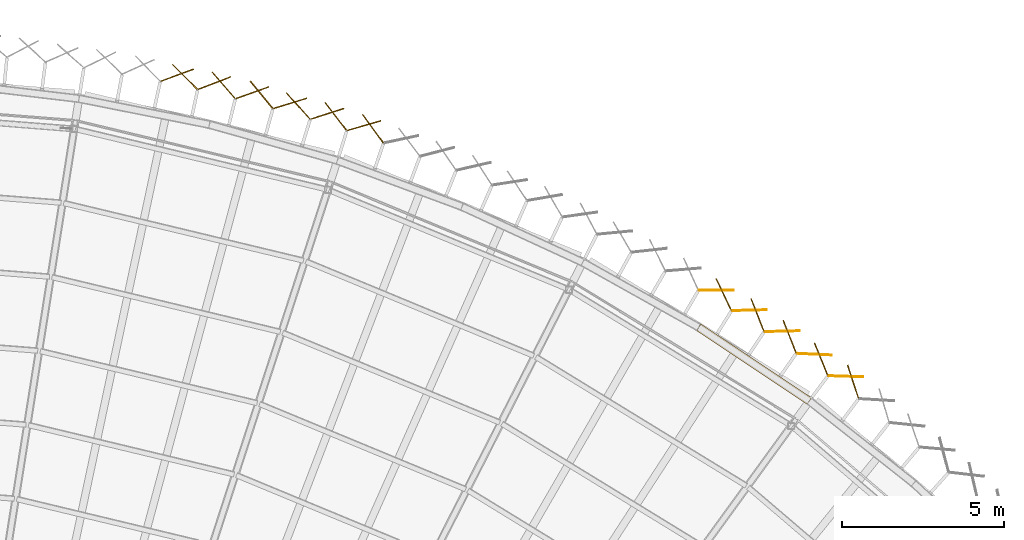
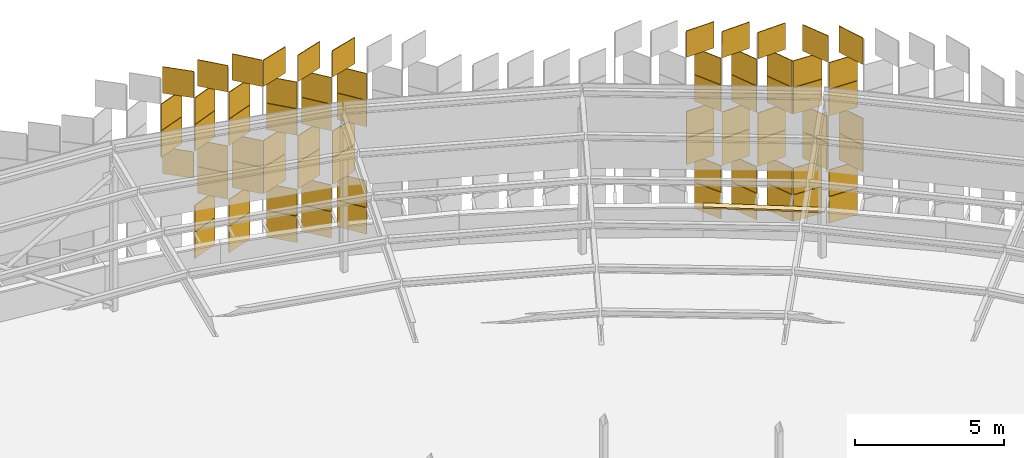
# One storey, part 482 of 483: 75 coverings.
"""IFC4 building model written with IfcOpenShell, lengths in metres."""

from ifc_helpers import new_model, si_unit, direction, frame, origin, origin_2d, place, context, subcontext, project, spatial, polyline, rectangle, outline, extrude, material, layer, layer_set, type_object, element, save


model = new_model("IFC4")

# Units and contexts
model_context = context("Model", 3, precision=1e-05, world=origin(), true_north=direction((0.0, 1.0)))
body_context = subcontext(model_context, "Body", "Model", "MODEL_VIEW")
ifc_project = project(units=[si_unit("LENGTHUNIT", "METRE"), si_unit("AREAUNIT", "SQUARE_METRE"), si_unit("VOLUMEUNIT", "CUBIC_METRE"), si_unit("PLANEANGLEUNIT", "RADIAN"), si_unit("MASSUNIT", "GRAM", prefix="KILO")], contexts=[model_context])

# Site, building, storey
site_placement = place(None, origin())
site = spatial("IfcSite", under=ifc_project, at=site_placement, CompositionType="ELEMENT")
building_placement = place(site_placement, origin())
building = spatial("IfcBuilding", under=site, at=building_placement, Name="Parallax Yard Mobility Hub", CompositionType="ELEMENT")
storey_placement = place(building_placement, frame((0.0, 0.0, 13.199951171875)))
storey = spatial("IfcBuildingStorey", under=building, at=storey_placement, Name="L04", CompositionType="ELEMENT", Elevation=13.199951171875)

# Coverings
ifc_material_1 = material(Name="Concrete fc' 35 MPa", Category="concrete")
ifc_layer_1 = layer(ifc_material_1, 0.06005859375)
ifc_layer_set_1 = layer_set([ifc_layer_1], Name="Parapet coping, Concrete fc' 35 MPa precast, 240")
covering_type_1 = type_object("IfcCoveringType", Name="Parapet coping, Concrete fc' 35 MPa precast, 240", PredefinedType="USERDEFINED", material=ifc_layer_set_1)
covering_placement = place(storey_placement, frame((0.0, 0.0, 1.199951171875)))
element("IfcCovering", 1, at=covering_placement, inside=storey, type_object=covering_type_1, Name="Parapet coping run 4 part 29", ObjectType="COPING", PredefinedType="USERDEFINED", context=body_context, shape_type="SweptSolid", body=[
    extrude(outline(polyline([(203.202392578125, 132.2578125), (203.343505859375, 132.452392578125), (199.915283203125, 134.738037109375), (199.7900390625, 134.533203125), (203.202392578125, 132.2578125)])), origin(), (0.0, 0.0, 1.0), 0.06005859375),
])
ifc_material_2 = material(Name="Aluminium panel, silver anodised", Category="aluminium")
ifc_layer_2 = layer(ifc_material_2, 0.030029296875)
ifc_layer_set_2 = layer_set([ifc_layer_2], Name="Skin panel 32.5 degree turn, silver anodised")
covering_type_2 = type_object("IfcCoveringType", Name="Skin panel 32.5 degree turn, silver anodised", PredefinedType="CLADDING", material=ifc_layer_set_2)
for number, where, z_axis, x_axis, name in (
    (2, (203.42431640625, 133.80078125, 0.02001953125), (0.0, 0.0, 1.0), (0.998904787927, -0.046789151046, 0.0), "Skin panel 32.5 bay 47.1 row 1 level L04"),
    (3, (203.42431640625, 133.80078125, 1.1201171875), (0.0, 0.0, 1.0), (0.998904787927, -0.046789151046, 0.0), "Skin panel 32.5 bay 47.1 row 2 level L04"),
    (4, (203.6376953125, 133.650146484375, 2.219970703125), (0.0, 0.0, 1.0), (-0.379750033177, 0.92508913749, 0.0), "Skin panel 32.5 bay 47.1 row 3 level L04"),
    (5, (203.6376953125, 133.650146484375, 3.320068359375), (0.0, 0.0, 1.0), (-0.379750033177, 0.92508913749, 0.0), "Skin panel 32.5 bay 47.1 row 4 level L04"),
    (6, (203.42431640625, 133.80078125, 4.419921875), (0.0, 0.0, 1.0), (0.998904787927, -0.046789151046, 0.0), "Skin panel 32.5 bay 47.1 row 5 level L04"),
    (7, (203.42431640625, 133.80078125, 5.52001953125), (0.0, 0.0, 1.0), (0.998904787927, -0.046789151046, 0.0), "Skin panel 32.5 bay 47.1 row 6 level L04"),
    (8, (203.6376953125, 133.650146484375, 6.6201171875), (0.0, 0.0, 1.0), (-0.379750033177, 0.92508913749, 0.0), "Skin panel 32.5 bay 47.1 row 7 level L04"),
    (9, (200.625, 135.6494140625, 0.02001953125), (0.0, 0.0, 1.0), (-0.431942509836, 0.901901141033, 0.0), "Skin panel 32.5 bay 47.4 row 1 level L04"),
    (10, (200.625, 135.6494140625, 1.1201171875), (0.0, 0.0, 1.0), (-0.431942509836, 0.901901141033, 0.0), "Skin panel 32.5 bay 47.4 row 2 level L04"),
    (11, (200.39990234375, 135.781982421875, 2.219970703125), (0.0, 0.0, 1.0), (0.999946819934, 0.010312967731, 0.0), "Skin panel 32.5 bay 47.4 row 3 level L04"),
    (12, (200.39990234375, 135.781982421875, 3.320068359375), (0.0, 0.0, 1.0), (0.999946819934, 0.010312967731, 0.0), "Skin panel 32.5 bay 47.4 row 4 level L04"),
    (13, (200.625, 135.6494140625, 4.419921875), (0.0, 0.0, 1.0), (-0.431942509836, 0.901901141033, 0.0), "Skin panel 32.5 bay 47.4 row 5 level L04"),
    (14, (200.625, 135.6494140625, 5.52001953125), (0.0, 0.0, 1.0), (-0.431942509836, 0.901901141033, 0.0), "Skin panel 32.5 bay 47.4 row 6 level L04"),
    (15, (200.39990234375, 135.781982421875, 6.6201171875), (0.0, 0.0, 1.0), (0.999946819934, 0.010312967731, 0.0), "Skin panel 32.5 bay 47.4 row 7 level L04"),
    (16, (187.467041015625, 141.47998046875, 0.02001953125), (0.0, 0.0, 1.0), (-0.668540245689, 0.743675964311, 0.0), "Skin panel 32.5 bay 49.2 row 1 level L04"),
    (17, (187.467041015625, 141.47998046875, 1.1201171875), (0.0, 0.0, 1.0), (-0.668540245689, 0.743675964311, 0.0), "Skin panel 32.5 bay 49.2 row 2 level L04"),
    (18, (187.218017578125, 141.55908203125, 2.219970703125), (0.0, 0.0, 1.0), (0.956536634024, 0.29161218728, 0.0), "Skin panel 32.5 bay 49.2 row 3 level L04"),
    (19, (187.218017578125, 141.55908203125, 3.320068359375), (0.0, 0.0, 1.0), (0.956536634024, 0.29161218728, 0.0), "Skin panel 32.5 bay 49.2 row 4 level L04"),
    (20, (187.467041015625, 141.47998046875, 4.419921875), (0.0, 0.0, 1.0), (-0.668540245689, 0.743675964311, 0.0), "Skin panel 32.5 bay 49.2 row 5 level L04"),
    (21, (187.467041015625, 141.47998046875, 5.52001953125), (0.0, 0.0, 1.0), (-0.668540245689, 0.743675964311, 0.0), "Skin panel 32.5 bay 49.2 row 6 level L04"),
    (22, (187.218017578125, 141.55908203125, 6.6201171875), (0.0, 0.0, 1.0), (0.956536634024, 0.29161218728, 0.0), "Skin panel 32.5 bay 49.2 row 7 level L04"),
    (23, (183.965087890625, 142.377197265625, 3.320068359375), (0.0, 0.0, 1.0), (-0.709906396482, 0.704296037355, 0.0), "Skin panel 32.5 bay 49.5 row 4 level L04"),
    (24, (183.724365234375, 142.4296875, 4.419921875), (0.0, 0.0, 1.0), (0.938328390314, 0.345745328141, 0.0), "Skin panel 32.5 bay 49.5 row 5 level L04"),
    (25, (183.724365234375, 142.4296875, 5.52001953125), (0.0, 0.0, 1.0), (0.938328390314, 0.345745328141, 0.0), "Skin panel 32.5 bay 49.5 row 6 level L04"),
    (26, (183.965087890625, 142.377197265625, 6.6201171875), (0.0, 0.0, 1.0), (-0.709906396482, 0.704296037355, 0.0), "Skin panel 32.5 bay 49.5 row 7 level L04"),
):
    element("IfcCovering", number, at=place(storey_placement, frame(where, z_axis=z_axis, x_axis=x_axis)), inside=storey, type_object=covering_type_2, Name=name, ObjectType="SCREEN", PredefinedType="CLADDING", context=body_context, shape_type="SweptSolid", body=[
        extrude(rectangle(XDim=1.080078125, YDim=0.030029296875, at=origin_2d()), origin(), (0.0, 0.0, 1.0), 1.080078125),
    ])
ifc_layer_3 = layer(ifc_material_2, 0.030029296875)
ifc_layer_set_3 = layer_set([ifc_layer_3], Name="Skin panel 35 degree turn, silver anodised")
covering_type_3 = type_object("IfcCoveringType", Name="Skin panel 35 degree turn, silver anodised", PredefinedType="CLADDING", material=ifc_layer_set_3)
for number, where, z_axis, x_axis, name in (
    (27, (204.4052734375, 133.11767578125, 0.02001953125), (0.0, 0.0, 1.0), (0.999496532315, -0.031728250671, 0.0), "Skin panel 35 bay 46.7 row 1 level L04"),
    (28, (204.4052734375, 133.11767578125, 1.1201171875), (0.0, 0.0, 1.0), (0.999496532315, -0.031728250671, 0.0), "Skin panel 35 bay 46.7 row 2 level L04"),
    (29, (204.623779296875, 132.9541015625, 2.219970703125), (0.0, 0.0, 1.0), (-0.31203314421, 0.950071216759, 0.0), "Skin panel 35 bay 46.7 row 3 level L04"),
    (30, (204.623779296875, 132.9541015625, 3.320068359375), (0.0, 0.0, 1.0), (-0.31203314421, 0.950071216759, 0.0), "Skin panel 35 bay 46.7 row 4 level L04"),
    (31, (204.4052734375, 133.11767578125, 4.419921875), (0.0, 0.0, 1.0), (0.999496532315, -0.031728250671, 0.0), "Skin panel 35 bay 46.7 row 5 level L04"),
    (32, (204.4052734375, 133.11767578125, 5.52001953125), (0.0, 0.0, 1.0), (0.999496532315, -0.031728250671, 0.0), "Skin panel 35 bay 46.7 row 6 level L04"),
    (33, (204.623779296875, 132.9541015625, 6.6201171875), (0.0, 0.0, 1.0), (-0.31203314421, 0.950071216759, 0.0), "Skin panel 35 bay 46.7 row 7 level L04"),
    (34, (202.6650390625, 134.3447265625, 0.02001953125), (0.0, 0.0, 1.0), (-0.365762243564, 0.930708322292, 0.0), "Skin panel 35 bay 47.2 row 1 level L04"),
    (35, (202.6650390625, 134.3447265625, 1.1201171875), (0.0, 0.0, 1.0), (-0.365762243564, 0.930708322292, 0.0), "Skin panel 35 bay 47.2 row 2 level L04"),
    (36, (202.43017578125, 134.51171875, 2.219970703125), (0.0, 0.0, 1.0), (0.999677797528, 0.025383087454, 0.0), "Skin panel 35 bay 47.2 row 3 level L04"),
    (37, (202.43017578125, 134.51171875, 3.320068359375), (0.0, 0.0, 1.0), (0.999677797528, 0.025383087454, 0.0), "Skin panel 35 bay 47.2 row 4 level L04"),
    (38, (202.6650390625, 134.3447265625, 4.419921875), (0.0, 0.0, 1.0), (-0.365762243564, 0.930708322292, 0.0), "Skin panel 35 bay 47.2 row 5 level L04"),
    (39, (202.6650390625, 134.3447265625, 5.52001953125), (0.0, 0.0, 1.0), (-0.365762243564, 0.930708322292, 0.0), "Skin panel 35 bay 47.2 row 6 level L04"),
    (40, (202.43017578125, 134.51171875, 6.6201171875), (0.0, 0.0, 1.0), (0.999677797528, 0.025383087454, 0.0), "Skin panel 35 bay 47.2 row 7 level L04"),
    (41, (201.67041015625, 135.015380859375, 0.02001953125), (0.0, 0.0, 1.0), (-0.365762243564, 0.930708322292, 0.0), "Skin panel 35 bay 47.3 row 1 level L04"),
    (42, (201.67041015625, 135.015380859375, 1.1201171875), (0.0, 0.0, 1.0), (-0.365762243564, 0.930708322292, 0.0), "Skin panel 35 bay 47.3 row 2 level L04"),
    (43, (201.421630859375, 135.16162109375, 2.219970703125), (0.0, 0.0, 1.0), (0.999677797528, 0.025383087454, 0.0), "Skin panel 35 bay 47.3 row 3 level L04"),
    (44, (201.421630859375, 135.16162109375, 3.320068359375), (0.0, 0.0, 1.0), (0.999677797528, 0.025383087454, 0.0), "Skin panel 35 bay 47.3 row 4 level L04"),
    (45, (201.67041015625, 135.015380859375, 4.419921875), (0.0, 0.0, 1.0), (-0.365762243564, 0.930708322292, 0.0), "Skin panel 35 bay 47.3 row 5 level L04"),
    (46, (201.67041015625, 135.015380859375, 5.52001953125), (0.0, 0.0, 1.0), (-0.365762243564, 0.930708322292, 0.0), "Skin panel 35 bay 47.3 row 6 level L04"),
    (47, (201.421630859375, 135.16162109375, 6.6201171875), (0.0, 0.0, 1.0), (0.999677797528, 0.025383087454, 0.0), "Skin panel 35 bay 47.3 row 7 level L04"),
    (48, (189.778076171875, 140.778564453125, 0.02001953125), (0.0, 0.0, 1.0), (-0.590349306946, 0.807147877274, 0.0), "Skin panel 35 bay 48.7 row 1 level L04"),
    (49, (189.778076171875, 140.778564453125, 1.1201171875), (0.0, 0.0, 1.0), (-0.590349306946, 0.807147877274, 0.0), "Skin panel 35 bay 48.7 row 2 level L04"),
    (50, (189.505126953125, 140.871337890625, 2.219970703125), (0.0, 0.0, 1.0), (0.960382258732, 0.278686054753, 0.0), "Skin panel 35 bay 48.7 row 3 level L04"),
    (51, (189.505126953125, 140.871337890625, 3.320068359375), (0.0, 0.0, 1.0), (0.960382258732, 0.278686054753, 0.0), "Skin panel 35 bay 48.7 row 4 level L04"),
    (52, (189.778076171875, 140.778564453125, 4.419921875), (0.0, 0.0, 1.0), (-0.590349306946, 0.807147877274, 0.0), "Skin panel 35 bay 48.7 row 5 level L04"),
    (53, (189.778076171875, 140.778564453125, 5.52001953125), (0.0, 0.0, 1.0), (-0.590349306946, 0.807147877274, 0.0), "Skin panel 35 bay 48.7 row 6 level L04"),
    (54, (189.505126953125, 140.871337890625, 6.6201171875), (0.0, 0.0, 1.0), (0.960382258732, 0.278686054753, 0.0), "Skin panel 35 bay 48.7 row 7 level L04"),
    (55, (188.629638671875, 141.15576171875, 0.02001953125), (0.0, 0.0, 1.0), (-0.613158015407, 0.789960282636, 0.0), "Skin panel 35 bay 49.1 row 1 level L04"),
    (56, (188.629638671875, 141.15576171875, 1.1201171875), (0.0, 0.0, 1.0), (-0.613158015407, 0.789960282636, 0.0), "Skin panel 35 bay 49.1 row 2 level L04"),
    (57, (188.36865234375, 141.236572265625, 2.219970703125), (0.0, 0.0, 1.0), (0.952032240618, 0.305997733365, 0.0), "Skin panel 35 bay 49.1 row 3 level L04"),
    (58, (188.36865234375, 141.236572265625, 3.320068359375), (0.0, 0.0, 1.0), (0.952032240618, 0.305997733365, 0.0), "Skin panel 35 bay 49.1 row 4 level L04"),
    (59, (188.629638671875, 141.15576171875, 4.419921875), (0.0, 0.0, 1.0), (-0.613158015407, 0.789960282636, 0.0), "Skin panel 35 bay 49.1 row 5 level L04"),
    (60, (188.629638671875, 141.15576171875, 5.52001953125), (0.0, 0.0, 1.0), (-0.613158015407, 0.789960282636, 0.0), "Skin panel 35 bay 49.1 row 6 level L04"),
    (61, (188.36865234375, 141.236572265625, 6.6201171875), (0.0, 0.0, 1.0), (0.952032240618, 0.305997733365, 0.0), "Skin panel 35 bay 49.1 row 7 level L04"),
    (62, (186.050537109375, 141.888671875, 0.02001953125), (0.0, 0.0, 1.0), (0.942906278142, 0.333058179063, 0.0), "Skin panel 35 bay 49.3 row 1 level L04"),
    (63, (186.050537109375, 141.888671875, 1.1201171875), (0.0, 0.0, 1.0), (0.942906278142, 0.333058179063, 0.0), "Skin panel 35 bay 49.3 row 2 level L04"),
    (64, (186.332275390625, 141.826416015625, 2.219970703125), (0.0, 0.0, 1.0), (-0.63546525355, 0.772129465524, 0.0), "Skin panel 35 bay 49.3 row 3 level L04"),
    (65, (186.332275390625, 141.826416015625, 3.320068359375), (0.0, 0.0, 1.0), (-0.63546525355, 0.772129465524, 0.0), "Skin panel 35 bay 49.3 row 4 level L04"),
    (66, (186.050537109375, 141.888671875, 4.419921875), (0.0, 0.0, 1.0), (0.942906278142, 0.333058179063, 0.0), "Skin panel 35 bay 49.3 row 5 level L04"),
    (67, (186.050537109375, 141.888671875, 5.52001953125), (0.0, 0.0, 1.0), (0.942906278142, 0.333058179063, 0.0), "Skin panel 35 bay 49.3 row 6 level L04"),
    (68, (186.332275390625, 141.826416015625, 6.6201171875), (0.0, 0.0, 1.0), (-0.63546525355, 0.772129465524, 0.0), "Skin panel 35 bay 49.3 row 7 level L04"),
    (69, (184.879150390625, 142.185791015625, 0.02001953125), (0.0, 0.0, 1.0), (0.933010699538, 0.35984862727, 0.0), "Skin panel 35 bay 49.4 row 1 level L04"),
    (70, (184.879150390625, 142.185791015625, 1.1201171875), (0.0, 0.0, 1.0), (0.933010699538, 0.35984862727, 0.0), "Skin panel 35 bay 49.4 row 2 level L04"),
    (71, (185.160400390625, 142.12255859375, 2.219970703125), (0.0, 0.0, 1.0), (-0.657255552826, 0.753667790395, 0.0), "Skin panel 35 bay 49.4 row 3 level L04"),
    (72, (185.160400390625, 142.12255859375, 3.320068359375), (0.0, 0.0, 1.0), (-0.657255552826, 0.753667790395, 0.0), "Skin panel 35 bay 49.4 row 4 level L04"),
    (73, (184.879150390625, 142.185791015625, 4.419921875), (0.0, 0.0, 1.0), (0.933010699538, 0.35984862727, 0.0), "Skin panel 35 bay 49.4 row 5 level L04"),
    (74, (184.879150390625, 142.185791015625, 5.52001953125), (0.0, 0.0, 1.0), (0.933010699538, 0.35984862727, 0.0), "Skin panel 35 bay 49.4 row 6 level L04"),
    (75, (185.160400390625, 142.12255859375, 6.6201171875), (0.0, 0.0, 1.0), (-0.657255552826, 0.753667790395, 0.0), "Skin panel 35 bay 49.4 row 7 level L04"),
):
    element("IfcCovering", number, at=place(storey_placement, frame(where, z_axis=z_axis, x_axis=x_axis)), inside=storey, type_object=covering_type_3, Name=name, ObjectType="SCREEN", PredefinedType="CLADDING", context=body_context, shape_type="SweptSolid", body=[
        extrude(rectangle(XDim=1.080078125, YDim=0.030029296875, at=origin_2d()), origin(), (0.0, 0.0, 1.0), 1.080078125),
    ])

save(model, "model.ifc")
